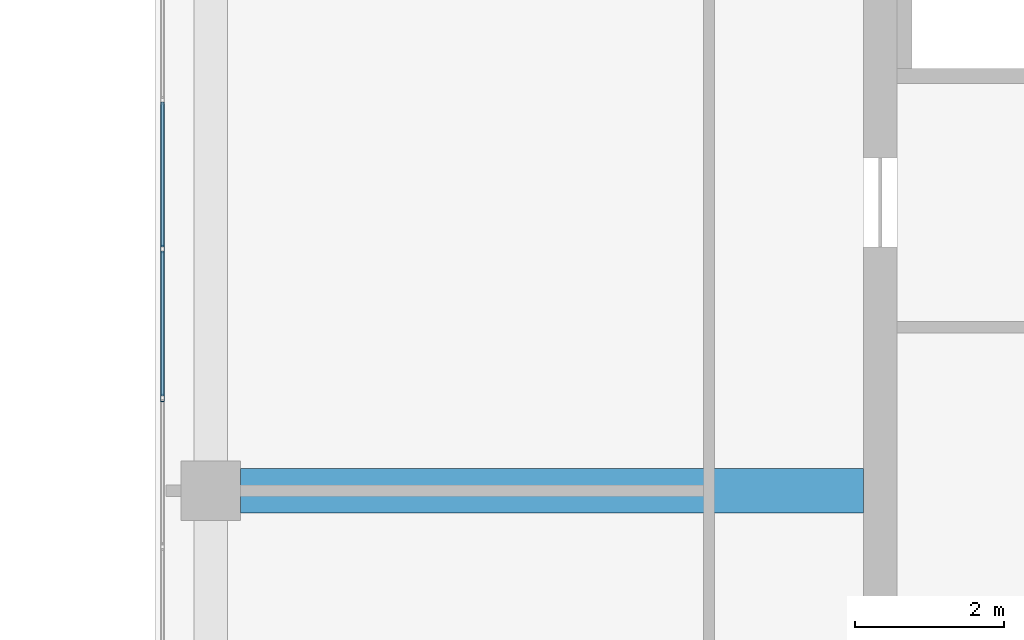
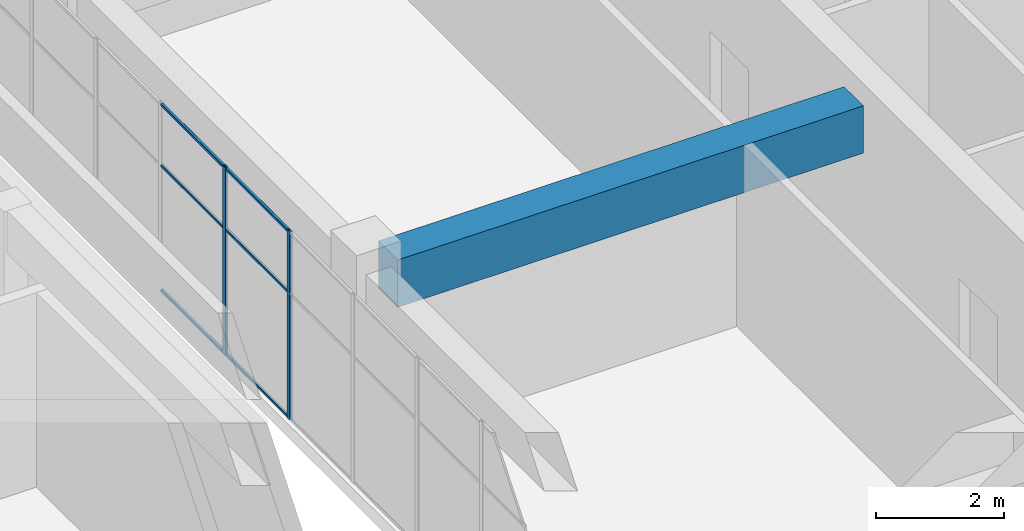
# One storey, part 34 of 72: 8 members, 1 beam, 1 element without a shape of its own.
"""IFC4 building model written with IfcOpenShell, lengths in metres."""

from ifc_helpers import new_model, si_unit, direction, frame, origin, origin_2d, place, context, subcontext, project, spatial, rectangle, hollow_rectangle, extrude, material, layer, layer_set, material_profile, profile_set, type_object, element, aggregate, save


model = new_model("IFC4")

# Units and contexts
model_context = context("Model", 3, precision=1e-05, world=origin(), true_north=direction((0.0, 1.0)))
body_context = subcontext(model_context, "Body", "Model", "MODEL_VIEW")
ifc_project = project(units=[si_unit("LENGTHUNIT", "METRE"), si_unit("AREAUNIT", "SQUARE_METRE"), si_unit("VOLUMEUNIT", "CUBIC_METRE"), si_unit("PLANEANGLEUNIT", "RADIAN"), si_unit("MASSUNIT", "GRAM", prefix="KILO")], contexts=[model_context])

# Site, building, storey
site_placement = place(None, origin())
site = spatial("IfcSite", under=ifc_project, at=site_placement, CompositionType="ELEMENT")
building_placement = place(site_placement, origin())
building = spatial("IfcBuilding", under=site, at=building_placement, Name="Tuart Plaza Theatre", CompositionType="ELEMENT")
storey_placement = place(building_placement, frame((0.0, 0.0, 13.5)))
storey = spatial("IfcBuildingStorey", under=building, at=storey_placement, Name="L03", CompositionType="ELEMENT", Elevation=13.5)

# Beam
ifc_material_1 = material(Name="Concrete N40 (40 MPa)", Category="concrete")
ifc_material_profile_1 = material_profile(ifc_material_1, rectangle(XDim=0.60009765625, YDim=0.89990234375, at=origin_2d()), Name="BEAM 600x900 Concrete N40 (40 MPa)")
ifc_profile_set_1 = profile_set([ifc_material_profile_1], Name="Concrete N40 (40 MPa)")
beam_type = type_object("IfcBeamType", Name="BEAM 600x900 Concrete N40 (40 MPa)", PredefinedType="BEAM", material=ifc_profile_set_1)
beam_placement = place(storey_placement, frame((114.39990234375, 74.0, 3.1298828125), z_axis=(1.0, 0.0, 0.0), x_axis=(0.0, 1.0, 0.0)))
element("IfcBeam", 1, at=beam_placement, inside=storey, type_object=beam_type, Name="RB167", PredefinedType="BEAM", context=body_context, shape_type="SweptSolid", body=[
    extrude(rectangle(XDim=0.60009765625, YDim=0.89990234375, at=origin_2d()), origin(), (0.0, 0.0, 1.0), 8.375),
])

# Curtain wall, members
ifc_material_2 = material(Name="Aluminium and glass", Category="aluminium")
ifc_layer = layer(ifc_material_2, 0.10009765625)
ifc_layer_set = layer_set([ifc_layer], Name="CURTAIN WALL 2000 module")
curtain_wall_type = type_object("IfcCurtainWallType", Name="CURTAIN WALL 2000 module", PredefinedType="NOTDEFINED", material=ifc_layer_set)
curtain_wall_placement = place(storey_placement, origin())
curtain_wall = element("IfcCurtainWall", 2, at=curtain_wall_placement, inside=storey, type_object=curtain_wall_type, Name="CW73", PredefinedType="NOTDEFINED")
ifc_material_3 = material(Name="Aluminium 6063-T5", Category="aluminium")
ifc_material_profile_2 = material_profile(ifc_material_3, hollow_rectangle(XDim=0.050048828125, YDim=0.10009765625, WallThickness=0.00390625, InnerFilletRadius=0.00390625, OuterFilletRadius=0.008056640625, at=origin_2d()), Name="RHS 100x50x4")
ifc_profile_set_2 = profile_set([ifc_material_profile_2], Name="Aluminium 6063-T5")
member_type_1 = type_object("IfcMemberType", Name="MULLION RHS 100x50x4", PredefinedType="MULLION", material=ifc_profile_set_2)
member_1_placement = place(storey_placement, frame((113.35009765625, 77.25, 0.0), z_axis=(0.0, 0.0, 1.0), x_axis=(1.0, 0.0, 0.0)))
member_1 = element("IfcMember", 3, at=member_1_placement, type_object=member_type_1, Name="CW73 mullion 11", PredefinedType="MULLION", context=body_context, shape_type="SweptSolid", body=[
    extrude(hollow_rectangle(XDim=0.050048828125, YDim=0.10009765625, WallThickness=0.00390625, InnerFilletRadius=0.00390625, OuterFilletRadius=0.008056640625, at=origin_2d()), origin(), (0.0, 0.0, 1.0), 3.580078125),
])
member_2_placement = place(storey_placement, frame((113.35009765625, 75.25, 0.0), z_axis=(0.0, 0.0, 1.0), x_axis=(1.0, 0.0, 0.0)))
member_2 = element("IfcMember", 4, at=member_2_placement, type_object=member_type_1, Name="CW73 mullion 12", PredefinedType="MULLION", context=body_context, shape_type="SweptSolid", body=[
    extrude(hollow_rectangle(XDim=0.050048828125, YDim=0.10009765625, WallThickness=0.00390625, InnerFilletRadius=0.00390625, OuterFilletRadius=0.008056640625, at=origin_2d()), origin(), (0.0, 0.0, 1.0), 3.580078125),
])
ifc_material_4 = material(Name="Aluminium 6063-T5", Category="aluminium")
ifc_material_profile_3 = material_profile(ifc_material_4, hollow_rectangle(XDim=0.050048828125, YDim=0.050048828125, WallThickness=0.00390625, InnerFilletRadius=0.00390625, OuterFilletRadius=0.008056640625, at=origin_2d()), Name="RHS 50x50x4")
ifc_profile_set_3 = profile_set([ifc_material_profile_3], Name="Aluminium 6063-T5")
member_type_2 = type_object("IfcMemberType", Name="TRANSOM RHS 50x50x4", PredefinedType="USERDEFINED", material=ifc_profile_set_3)
member_3_placement = place(storey_placement, frame((113.35009765625, 79.22509765625, 0.02490234375), z_axis=(0.0, -1.0, 0.0), x_axis=(1.0, 0.0, 0.0)))
member_3 = element("IfcMember", 5, at=member_3_placement, type_object=member_type_2, Name="CW73 transom 10.1", ObjectType="TRANSOM", PredefinedType="USERDEFINED", context=body_context, shape_type="SweptSolid", body=[
    extrude(hollow_rectangle(XDim=0.050048828125, YDim=0.050048828125, WallThickness=0.00390625, InnerFilletRadius=0.00390625, OuterFilletRadius=0.008056640625, at=origin_2d()), origin(), (0.0, 0.0, 1.0), 1.9501953125),
])
member_4_placement = place(storey_placement, frame((113.35009765625, 79.22509765625, 2.39990234375), z_axis=(0.0, -1.0, 0.0), x_axis=(1.0, 0.0, 0.0)))
member_4 = element("IfcMember", 6, at=member_4_placement, type_object=member_type_2, Name="CW73 transom 10.2", ObjectType="TRANSOM", PredefinedType="USERDEFINED", context=body_context, shape_type="SweptSolid", body=[
    extrude(hollow_rectangle(XDim=0.050048828125, YDim=0.050048828125, WallThickness=0.00390625, InnerFilletRadius=0.00390625, OuterFilletRadius=0.008056640625, at=origin_2d()), origin(), (0.0, 0.0, 1.0), 1.9501953125),
])
member_5_placement = place(storey_placement, frame((113.35009765625, 79.22509765625, 3.554931640625), z_axis=(0.0, -1.0, 0.0), x_axis=(1.0, 0.0, 0.0)))
member_5 = element("IfcMember", 7, at=member_5_placement, type_object=member_type_2, Name="CW73 transom 10.3", ObjectType="TRANSOM", PredefinedType="USERDEFINED", context=body_context, shape_type="SweptSolid", body=[
    extrude(hollow_rectangle(XDim=0.050048828125, YDim=0.050048828125, WallThickness=0.00390625, InnerFilletRadius=0.00390625, OuterFilletRadius=0.008056640625, at=origin_2d()), origin(), (0.0, 0.0, 1.0), 1.9501953125),
])
member_6_placement = place(storey_placement, frame((113.35009765625, 77.22509765625, 0.02490234375), z_axis=(0.0, -1.0, 0.0), x_axis=(1.0, 0.0, 0.0)))
member_6 = element("IfcMember", 8, at=member_6_placement, type_object=member_type_2, Name="CW73 transom 11.1", ObjectType="TRANSOM", PredefinedType="USERDEFINED", context=body_context, shape_type="SweptSolid", body=[
    extrude(hollow_rectangle(XDim=0.050048828125, YDim=0.050048828125, WallThickness=0.00390625, InnerFilletRadius=0.00390625, OuterFilletRadius=0.008056640625, at=origin_2d()), origin(), (0.0, 0.0, 1.0), 1.9501953125),
])
member_7_placement = place(storey_placement, frame((113.35009765625, 77.22509765625, 2.39990234375), z_axis=(0.0, -1.0, 0.0), x_axis=(1.0, 0.0, 0.0)))
member_7 = element("IfcMember", 9, at=member_7_placement, type_object=member_type_2, Name="CW73 transom 11.2", ObjectType="TRANSOM", PredefinedType="USERDEFINED", context=body_context, shape_type="SweptSolid", body=[
    extrude(hollow_rectangle(XDim=0.050048828125, YDim=0.050048828125, WallThickness=0.00390625, InnerFilletRadius=0.00390625, OuterFilletRadius=0.008056640625, at=origin_2d()), origin(), (0.0, 0.0, 1.0), 1.9501953125),
])
member_8_placement = place(storey_placement, frame((113.35009765625, 77.22509765625, 3.554931640625), z_axis=(0.0, -1.0, 0.0), x_axis=(1.0, 0.0, 0.0)))
member_8 = element("IfcMember", 10, at=member_8_placement, type_object=member_type_2, Name="CW73 transom 11.3", ObjectType="TRANSOM", PredefinedType="USERDEFINED", context=body_context, shape_type="SweptSolid", body=[
    extrude(hollow_rectangle(XDim=0.050048828125, YDim=0.050048828125, WallThickness=0.00390625, InnerFilletRadius=0.00390625, OuterFilletRadius=0.008056640625, at=origin_2d()), origin(), (0.0, 0.0, 1.0), 1.9501953125),
])
aggregate(curtain_wall, [member_1, member_2, member_3, member_4, member_5, member_6, member_7, member_8])

save(model, "model.ifc")
